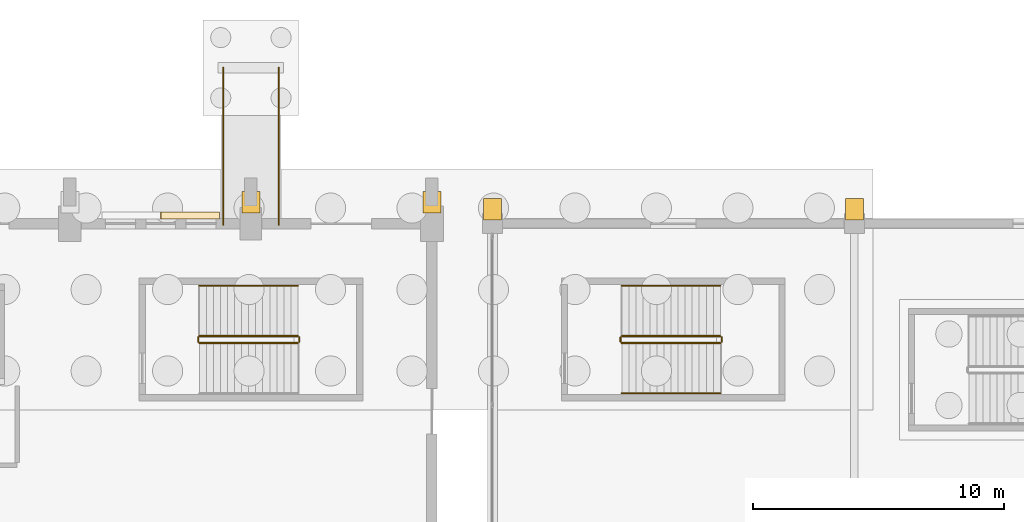
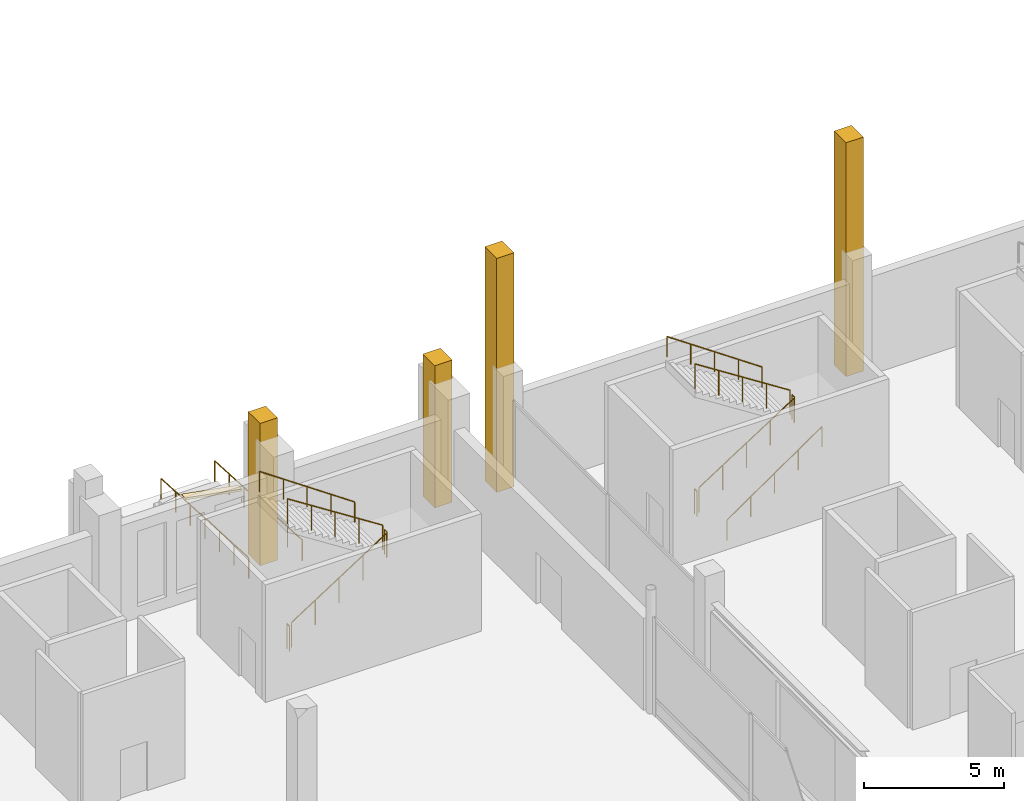
# One storey, part 189 of 192: 13 railings, 5 coverings.
"""IFC4 building model written with IfcOpenShell, lengths in metres."""

import ifcopenshell
import ifcopenshell.guid

model = None  # the IFC model being written
_history = None  # IfcOwnerHistory: only IFC2X3 demands one
_inside = {}  # id of a spatial element -> (the spatial element, [elements in it])
_under = {}  # id of a project, library or spatial element -> (it, [spatial elements below it])
_declared = {}  # id of a project -> (the project, [libraries it declares])
_typed = {}  # id of a type object -> (the type object, [elements of that type])
_made_of = {}  # id of a material, layer set ... -> (it, [elements and type objects made of it])


def new_model(schema):
    """Start an empty IFC model of exactly this schema.

    Asked for "IFC4X3", IfcOpenShell would pick the latest addendum, in which some entities
    have other attributes; the version numbers below select the first issue.
    IFC2X3 requires an IfcOwnerHistory on every rooted entity: one is made here for all.
    """
    global model, _history
    if schema == "IFC4X3":
        model = ifcopenshell.file(schema_version=(4, 3, 0, 0))
    else:
        model = ifcopenshell.file(schema=schema)
    _inside.clear()
    _under.clear()
    _declared.clear()
    _typed.clear()
    _made_of.clear()
    _history = None
    if model.schema == "IFC2X3":
        org = make("IfcOrganization", Name="unknown")
        user = make(
            "IfcPersonAndOrganization",
            ThePerson=make("IfcPerson", FamilyName="unknown"),
            TheOrganization=org,
        )
        app = make(
            "IfcApplication",
            ApplicationDeveloper=org,
            Version="unknown",
            ApplicationFullName="unknown",
            ApplicationIdentifier="unknown",
        )
        _history = make(
            "IfcOwnerHistory",
            OwningUser=user,
            OwningApplication=app,
            ChangeAction="ADDED",
            CreationDate=0,
        )
    return model


def make(cls, **values):
    """One entity of the class cls with the attributes given. An attribute that is None is left unset."""
    return model.create_entity(
        cls, **{name: value for name, value in values.items() if value is not None}
    )


def rooted(cls, **values):
    """An entity with a GlobalId (a new one), such as an element, a storey or a relation."""
    return make(cls, GlobalId=ifcopenshell.guid.new(), OwnerHistory=_history, **values)


def si_unit(unit_type, name, prefix=None):
    """IfcSIUnit, for example si_unit("LENGTHUNIT", "METRE", prefix="MILLI")."""
    return make("IfcSIUnit", UnitType=unit_type, Prefix=prefix, Name=name)


def assignment(units):
    """IfcUnitAssignment: the units of a project."""
    return None if units is None else make("IfcUnitAssignment", Units=units)


def point(xyz):
    """IfcCartesianPoint."""
    return None if xyz is None else make("IfcCartesianPoint", Coordinates=xyz)


def direction(xyz):
    """IfcDirection."""
    return None if xyz is None else make("IfcDirection", DirectionRatios=xyz)


def frame(location, z_axis=None, x_axis=None):
    """IfcAxis2Placement3D, a coordinate frame: its origin and axes. An axis left out is left unset."""
    return make(
        "IfcAxis2Placement3D",
        Location=point(location),
        Axis=direction(z_axis),
        RefDirection=direction(x_axis),
    )


def frame_2d(location, x_axis=None):
    """IfcAxis2Placement2D, a coordinate frame in the plane: its origin and x axis."""
    return make(
        "IfcAxis2Placement2D", Location=point(location), RefDirection=direction(x_axis)
    )


def origin():
    """The frame at (0, 0, 0) with its axes left unset."""
    return frame((0.0, 0.0, 0.0))


def origin_2d():
    """The frame at (0, 0) in the plane with its x axis left unset."""
    return frame_2d((0.0, 0.0))


def place(relative_to, where):
    """IfcLocalPlacement: puts the frame where relative to a parent placement (None: the world)."""
    return make(
        "IfcLocalPlacement", PlacementRelTo=relative_to, RelativePlacement=where
    )


def context(
    kind, dimensions, precision=None, world=None, true_north=None, identifier=None
):
    """IfcGeometricRepresentationContext, for example the 3D "Model" context."""
    return make(
        "IfcGeometricRepresentationContext",
        ContextIdentifier=identifier,
        ContextType=kind,
        CoordinateSpaceDimension=dimensions,
        Precision=precision,
        WorldCoordinateSystem=world,
        TrueNorth=true_north,
    )


def subcontext(parent, identifier, kind, view, scale=None):
    """IfcGeometricRepresentationSubContext, for example "Body" below "Model"."""
    return make(
        "IfcGeometricRepresentationSubContext",
        ContextIdentifier=identifier,
        ContextType=kind,
        ParentContext=parent,
        TargetScale=scale,
        TargetView=view,
    )


def project(units=None, contexts=None):
    """IfcProject with its units and contexts."""
    return rooted(
        "IfcProject",
        Name="project",
        RepresentationContexts=contexts,
        UnitsInContext=assignment(units),
    )


def spatial(cls, under=None, at=None, **own):
    """A site, building, storey or space (cls), placed at a placement, below another one or the project."""
    s = rooted(cls, ObjectPlacement=at, **own)
    if under is not None:
        _under.setdefault(under.id(), (under, []))[1].append(s)
    return s


def polyline(points):
    """IfcPolyline through the points."""
    return make("IfcPolyline", Points=[point(p) for p in points])


def profile(cls, at=None, kind="AREA", **sizes):
    """A parametric profile (cls). Its sizes go by their IFC names, for example OverallWidth=200.0."""
    return make(cls, ProfileType=kind, Position=at, **sizes)


def circle(**sizes):
    """IfcCircleProfileDef."""
    return profile("IfcCircleProfileDef", **sizes)


def outline(outer, holes=None, kind="AREA"):
    """IfcArbitraryClosedProfileDef: a profile drawn as a closed curve; with holes, ...WithVoids."""
    if holes is None:
        return make("IfcArbitraryClosedProfileDef", ProfileType=kind, OuterCurve=outer)
    return make(
        "IfcArbitraryProfileDefWithVoids",
        ProfileType=kind,
        OuterCurve=outer,
        InnerCurves=holes,
    )


def extrude(swept, where, along, depth):
    """IfcExtrudedAreaSolid: the profile swept, set in the frame where, extruded along a direction by depth."""
    return make(
        "IfcExtrudedAreaSolid",
        SweptArea=swept,
        Position=where,
        ExtrudedDirection=direction(along),
        Depth=depth,
    )


def shape(context_of_items, identifier, shape_type, items):
    """IfcShapeRepresentation: the items that make up one representation, for example the "Body"."""
    return make(
        "IfcShapeRepresentation",
        ContextOfItems=context_of_items,
        RepresentationIdentifier=identifier,
        RepresentationType=shape_type,
        Items=items,
    )


def material(Name=None, Category=None):
    """IfcMaterial."""
    return make("IfcMaterial", Name=Name, Category=Category)


def layer(
    of_material, thickness, ventilated=None, Name=None, Category=None, Priority=None
):
    """IfcMaterialLayer: one layer of a wall or slab, of a material (None: an air gap)."""
    return make(
        "IfcMaterialLayer",
        Material=of_material,
        LayerThickness=thickness,
        IsVentilated=ventilated,
        Name=Name,
        Category=Category,
        Priority=Priority,
    )


def layer_set(layers, Name=None):
    """IfcMaterialLayerSet."""
    return make("IfcMaterialLayerSet", MaterialLayers=layers, LayerSetName=Name)


def made_of(thing, what):
    """Note that an element or type object is made of a material, layer set ...; save() writes the relation."""
    if what is not None:
        _made_of.setdefault(what.id(), (what, []))[1].append(thing)
    return thing


def type_object(cls, material=None, **own):
    """A type object (cls), such as IfcWallType, which elements share."""
    return made_of(rooted(cls, **own), material)


def element(
    cls,
    number,
    at=None,
    inside=None,
    cuts=None,
    type_object=None,
    material=None,
    context=None,
    identifier="Body",
    shape_type=None,
    held_by="IfcProductDefinitionShape",
    body=None,
    shapes=None,
    **own,
):
    """One element of the class cls, such as IfcWall. Its Tag is "e" and its number.

    at: its placement. inside: the storey or other place that contains it. cuts: it is an
    opening in that element (IfcRelVoidsElement). A single representation is given by context,
    identifier, shape_type and body (its items); several are given by shapes. held_by: the class
    of the entity that holds the representations. save() writes the other relations.
    """
    e = rooted(cls, Tag="e%d" % number, ObjectPlacement=at, **own)
    if body is not None:
        shapes = [shape(context, identifier, shape_type, body)]
    if shapes is not None:
        e.Representation = make(held_by, Representations=shapes)
    if inside is not None:
        _inside.setdefault(inside.id(), (inside, []))[1].append(e)
    if cuts is not None:
        rooted(
            "IfcRelVoidsElement", RelatingBuildingElement=cuts, RelatedOpeningElement=e
        )
    if type_object is not None:
        _typed.setdefault(type_object.id(), (type_object, []))[1].append(e)
    return made_of(e, material)


def aggregate(whole, parts):
    """IfcRelAggregates: a whole, such as a stair, and the parts it consists of."""
    return rooted("IfcRelAggregates", RelatingObject=whole, RelatedObjects=parts)


def save(model, path):
    """Write the relations noted so far, then the file.

    IfcRelAggregates (storeys below a building ...), IfcRelContainedInSpatialStructure (elements
    in a storey), IfcRelDefinesByType, IfcRelAssociatesMaterial and IfcRelDeclares: one each for
    every whole, place, type object, material and project.
    """
    for whole, parts in _under.values():
        aggregate(whole, parts)
    for where, things in _inside.values():
        rooted(
            "IfcRelContainedInSpatialStructure",
            RelatedElements=things,
            RelatingStructure=where,
        )
    for kind, things in _typed.values():
        rooted("IfcRelDefinesByType", RelatedObjects=things, RelatingType=kind)
    for what, things in _made_of.values():
        rooted("IfcRelAssociatesMaterial", RelatedObjects=things, RelatingMaterial=what)
    for by, libraries in _declared.values():
        rooted("IfcRelDeclares", RelatingContext=by, RelatedDefinitions=libraries)
    model.write(path)


model = new_model("IFC4")

# Units and contexts
model_context = context("Model", 3, precision=1e-05, world=origin(), true_north=direction((0.0, 1.0)))
body_context = subcontext(model_context, "Body", "Model", "MODEL_VIEW")
ifc_project = project(units=[si_unit("LENGTHUNIT", "METRE"), si_unit("AREAUNIT", "SQUARE_METRE"), si_unit("VOLUMEUNIT", "CUBIC_METRE"), si_unit("PLANEANGLEUNIT", "RADIAN"), si_unit("MASSUNIT", "GRAM", prefix="KILO")], contexts=[model_context])

# Site, building, storey
site_placement = place(None, origin())
site = spatial("IfcSite", under=ifc_project, at=site_placement, CompositionType="ELEMENT")
building_placement = place(site_placement, origin())
building = spatial("IfcBuilding", under=site, at=building_placement, Name="Cendralis Lancet Convention Centre", CompositionType="ELEMENT")
storey_placement = place(building_placement, origin())
storey = spatial("IfcBuildingStorey", under=building, at=storey_placement, Name="L00", CompositionType="ELEMENT", Elevation=0.0)

# Coverings
ifc_material_1 = material(Name="Warm buff sandstone chevron cassette", Category="masonry")
ifc_layer = layer(ifc_material_1, 0.06005859375, Name="Warm buff sandstone chevron cassette")
ifc_layer_set = layer_set([ifc_layer], Name="Warm buff sandstone chevron cassette")
covering_type = type_object("IfcCoveringType", Name="ARC-CV-CLAD1", PredefinedType="CLADDING", material=ifc_layer_set)
covering_1_placement = place(storey_placement, frame((111.62255859375, 137.27001953125, 4.22509765625), z_axis=(0.17947506568, 0.0, 0.983762522563), x_axis=(0.0, -1.0, 0.0)))
element("IfcCovering", 1, at=covering_1_placement, inside=storey, type_object=covering_type, Name="L00 Gothic Pointed Lancet Hood-Mould #0012R", PredefinedType="CLADDING", context=body_context, shape_type="SweptSolid", body=[
    extrude(outline(polyline([(0.0, 0.0), (0.284912109375, 0.0), (0.284912109375, 2.3682890239662733), (0.0, 2.3682890239662733), (0.0, 0.0)])), origin(), (0.0, 0.0, -1.0), 0.090087890625),
])
covering_2_placement = place(storey_placement, origin())
element("IfcCovering", 2, at=covering_2_placement, inside=storey, type_object=covering_type, Name="Gothic Stepped Stone Buttress Base #0028", PredefinedType="CLADDING", context=body_context, shape_type="SweptSolid", body=[
    extrude(outline(polyline([(115.56005859375, 138.070068359375), (114.840087890625, 138.070068359375), (114.840087890625, 137.219970703125), (115.56005859375, 137.219970703125), (115.56005859375, 138.070068359375)])), origin(), (0.0, 0.0, 1.0), 6.199951171875),
])
covering_3_placement = place(storey_placement, origin())
element("IfcCovering", 3, at=covering_3_placement, inside=storey, type_object=covering_type, Name="Gothic Stepped Stone Buttress Base #0030", PredefinedType="CLADDING", context=body_context, shape_type="SweptSolid", body=[
    extrude(outline(polyline([(122.760009765625, 138.070068359375), (122.0400390625, 138.070068359375), (122.0400390625, 137.219970703125), (122.760009765625, 137.219970703125), (122.760009765625, 138.070068359375)])), origin(), (0.0, 0.0, 1.0), 6.199951171875),
])
covering_4_placement = place(storey_placement, origin())
element("IfcCovering", 4, at=covering_4_placement, inside=storey, type_object=covering_type, Name="Gothic Stepped Stone Buttress Base #0052", PredefinedType="CLADDING", context=body_context, shape_type="SweptSolid", body=[
    extrude(outline(polyline([(125.159912109375, 137.800048828125), (124.43994140625, 137.800048828125), (124.43994140625, 136.949951171875), (125.159912109375, 136.949951171875), (125.159912109375, 137.800048828125)])), origin(), (0.0, 0.0, 1.0), 10.199951171875),
])
covering_5_placement = place(storey_placement, origin())
element("IfcCovering", 5, at=covering_5_placement, inside=storey, type_object=covering_type, Name="Gothic Stepped Stone Buttress Base #0054", PredefinedType="CLADDING", context=body_context, shape_type="SweptSolid", body=[
    extrude(outline(polyline([(139.56005859375, 137.800048828125), (138.840087890625, 137.800048828125), (138.840087890625, 136.949951171875), (139.56005859375, 136.949951171875), (139.56005859375, 137.800048828125)])), origin(), (0.0, 0.0, 1.0), 10.199951171875),
])

# Railings
ifc_material_2 = material(Name="Steel S355", Category="steel")
railing_type_1 = type_object("IfcRailingType", Name="ARC-RL-CGD", PredefinedType="GUARDRAIL", material=ifc_material_2)
railing_1_placement = place(storey_placement, frame((113.14990234375, 132.050048828125, 0.179931640625)))
element("IfcRailing", 6, at=railing_1_placement, inside=storey, type_object=railing_type_1, Name="L00 ST-04 stair guard 1", PredefinedType="GUARDRAIL", context=body_context, shape_type="SweptSolid", body=[
    extrude(circle(Radius=0.02392578125, at=origin_2d()), frame((0.0, 0.0, 1.076171875), z_axis=(0.841186985886, 0.0, 0.540744352514), x_axis=(0.0, 1.0, 0.0)), (0.0, 0.0, 1.0), 4.660400390625),
    extrude(circle(Radius=0.02099609375, at=origin_2d()), origin(), (0.0, 0.0, 1.0), 1.052001953125),
    extrude(circle(Radius=0.02099609375, at=origin_2d()), frame((0.97998046875, 0.0, 0.6298828125)), (0.0, 0.0, 1.0), 1.052001953125),
    extrude(circle(Radius=0.02099609375, at=origin_2d()), frame((1.9599609375, 0.0, 1.260009765625)), (0.0, 0.0, 1.0), 1.052001953125),
    extrude(circle(Radius=0.02099609375, at=origin_2d()), frame((2.940185546875, 0.0, 1.89013671875)), (0.0, 0.0, 1.0), 1.052001953125),
    extrude(circle(Radius=0.02099609375, at=origin_2d()), frame((3.920166015625, 0.0, 2.52001953125)), (0.0, 0.0, 1.0), 1.052001953125),
])
railing_2_placement = place(storey_placement, frame((117.1201171875, 132.10009765625, 2.699951171875)))
element("IfcRailing", 7, at=railing_2_placement, inside=storey, type_object=railing_type_1, Name="L00 ST-04 stair guard 2", PredefinedType="GUARDRAIL", context=body_context, shape_type="SweptSolid", body=[
    extrude(circle(Radius=0.02392578125, at=origin_2d()), frame((0.0, 0.0, 1.076171875), z_axis=(0.0, 1.0, 0.0), x_axis=(-1.0, 0.0, 0.0)), (0.0, 0.0, 1.0), 0.179931640625),
    extrude(circle(Radius=0.02099609375, at=origin_2d()), origin(), (0.0, 0.0, 1.0), 1.052001953125),
    extrude(circle(Radius=0.02099609375, at=origin_2d()), frame((0.0, 0.179931640625, 0.0)), (0.0, 0.0, 1.0), 1.052001953125),
])
railing_3_placement = place(storey_placement, frame((117.070068359375, 132.330078125, 2.8798828125)))
element("IfcRailing", 8, at=railing_3_placement, inside=storey, type_object=railing_type_1, Name="L00 ST-04 stair guard 3", PredefinedType="GUARDRAIL", context=body_context, shape_type="SweptSolid", body=[
    extrude(circle(Radius=0.02392578125, at=origin_2d()), frame((0.0, 0.0, 1.076171875), z_axis=(-0.841186985886, 0.0, 0.540744352514), x_axis=(0.0, -1.0, 0.0)), (0.0, 0.0, 1.0), 4.660400390625),
    extrude(circle(Radius=0.02099609375, at=origin_2d()), origin(), (0.0, 0.0, 1.0), 1.052001953125),
    extrude(circle(Radius=0.02099609375, at=origin_2d()), frame((-0.97998046875, 0.0, 0.6298828125)), (0.0, 0.0, 1.0), 1.052001953125),
    extrude(circle(Radius=0.02099609375, at=origin_2d()), frame((-1.9599609375, 0.0, 1.260009765625)), (0.0, 0.0, 1.0), 1.052001953125),
    extrude(circle(Radius=0.02099609375, at=origin_2d()), frame((-2.940185546875, 0.0, 1.89013671875)), (0.0, 0.0, 1.0), 1.052001953125),
    extrude(circle(Radius=0.02099609375, at=origin_2d()), frame((-3.920166015625, 0.0, 2.52001953125)), (0.0, 0.0, 1.0), 1.052001953125),
])
railing_4_placement = place(storey_placement, frame((113.10009765625, 132.10009765625, 0.0)))
element("IfcRailing", 9, at=railing_4_placement, inside=storey, type_object=railing_type_1, Name="L00 ST-04 stair guard 4", PredefinedType="GUARDRAIL", context=body_context, shape_type="SweptSolid", body=[
    extrude(circle(Radius=0.02392578125, at=origin_2d()), frame((0.0, 0.0, 1.076171875), z_axis=(0.0, 1.0, 0.0), x_axis=(-1.0, 0.0, 0.0)), (0.0, 0.0, 1.0), 0.179931640625),
    extrude(circle(Radius=0.02099609375, at=origin_2d()), origin(), (0.0, 0.0, 1.0), 1.052001953125),
    extrude(circle(Radius=0.02099609375, at=origin_2d()), frame((0.0, 0.179931640625, 0.0)), (0.0, 0.0, 1.0), 1.052001953125),
])
railing_5_placement = place(storey_placement, frame((129.949951171875, 132.050048828125, 0.179931640625)))
element("IfcRailing", 10, at=railing_5_placement, inside=storey, type_object=railing_type_1, Name="L00 ST-05 stair guard 1", PredefinedType="GUARDRAIL", context=body_context, shape_type="SweptSolid", body=[
    extrude(circle(Radius=0.02392578125, at=origin_2d()), frame((0.0, 0.0, 1.076171875), z_axis=(0.841186985886, 0.0, 0.540744352514), x_axis=(0.0, 1.0, 0.0)), (0.0, 0.0, 1.0), 4.660400390625),
    extrude(circle(Radius=0.02099609375, at=origin_2d()), origin(), (0.0, 0.0, 1.0), 1.052001953125),
    extrude(circle(Radius=0.02099609375, at=origin_2d()), frame((0.97998046875, 0.0, 0.6298828125)), (0.0, 0.0, 1.0), 1.052001953125),
    extrude(circle(Radius=0.02099609375, at=origin_2d()), frame((1.9599609375, 0.0, 1.260009765625)), (0.0, 0.0, 1.0), 1.052001953125),
    extrude(circle(Radius=0.02099609375, at=origin_2d()), frame((2.940185546875, 0.0, 1.89013671875)), (0.0, 0.0, 1.0), 1.052001953125),
    extrude(circle(Radius=0.02099609375, at=origin_2d()), frame((3.920166015625, 0.0, 2.52001953125)), (0.0, 0.0, 1.0), 1.052001953125),
])
railing_6_placement = place(storey_placement, frame((133.919921875, 132.10009765625, 2.699951171875)))
element("IfcRailing", 11, at=railing_6_placement, inside=storey, type_object=railing_type_1, Name="L00 ST-05 stair guard 2", PredefinedType="GUARDRAIL", context=body_context, shape_type="SweptSolid", body=[
    extrude(circle(Radius=0.02392578125, at=origin_2d()), frame((0.0, 0.0, 1.076171875), z_axis=(0.0, 1.0, 0.0), x_axis=(-1.0, 0.0, 0.0)), (0.0, 0.0, 1.0), 0.179931640625),
    extrude(circle(Radius=0.02099609375, at=origin_2d()), origin(), (0.0, 0.0, 1.0), 1.052001953125),
    extrude(circle(Radius=0.02099609375, at=origin_2d()), frame((0.0, 0.179931640625, 0.0)), (0.0, 0.0, 1.0), 1.052001953125),
])
railing_7_placement = place(storey_placement, frame((133.8701171875, 132.330078125, 2.8798828125)))
element("IfcRailing", 12, at=railing_7_placement, inside=storey, type_object=railing_type_1, Name="L00 ST-05 stair guard 3", PredefinedType="GUARDRAIL", context=body_context, shape_type="SweptSolid", body=[
    extrude(circle(Radius=0.02392578125, at=origin_2d()), frame((0.0, 0.0, 1.076171875), z_axis=(-0.841186985886, 0.0, 0.540744352514), x_axis=(0.0, -1.0, 0.0)), (0.0, 0.0, 1.0), 4.660400390625),
    extrude(circle(Radius=0.02099609375, at=origin_2d()), origin(), (0.0, 0.0, 1.0), 1.052001953125),
    extrude(circle(Radius=0.02099609375, at=origin_2d()), frame((-0.97998046875, 0.0, 0.6298828125)), (0.0, 0.0, 1.0), 1.052001953125),
    extrude(circle(Radius=0.02099609375, at=origin_2d()), frame((-1.9599609375, 0.0, 1.260009765625)), (0.0, 0.0, 1.0), 1.052001953125),
    extrude(circle(Radius=0.02099609375, at=origin_2d()), frame((-2.940185546875, 0.0, 1.89013671875)), (0.0, 0.0, 1.0), 1.052001953125),
    extrude(circle(Radius=0.02099609375, at=origin_2d()), frame((-3.920166015625, 0.0, 2.52001953125)), (0.0, 0.0, 1.0), 1.052001953125),
])
railing_8_placement = place(storey_placement, frame((129.89990234375, 132.10009765625, 0.0)))
element("IfcRailing", 13, at=railing_8_placement, inside=storey, type_object=railing_type_1, Name="L00 ST-05 stair guard 4", PredefinedType="GUARDRAIL", context=body_context, shape_type="SweptSolid", body=[
    extrude(circle(Radius=0.02392578125, at=origin_2d()), frame((0.0, 0.0, 1.076171875), z_axis=(0.0, 1.0, 0.0), x_axis=(-1.0, 0.0, 0.0)), (0.0, 0.0, 1.0), 0.179931640625),
    extrude(circle(Radius=0.02099609375, at=origin_2d()), origin(), (0.0, 0.0, 1.0), 1.052001953125),
    extrude(circle(Radius=0.02099609375, at=origin_2d()), frame((0.0, 0.179931640625, 0.0)), (0.0, 0.0, 1.0), 1.052001953125),
])
railing_type_2 = type_object("IfcRailingType", Name="ARC-RL-CHR", PredefinedType="HANDRAIL", material=ifc_material_2)
railing_9_placement = place(storey_placement, frame((117.070068359375, 134.330078125, 2.8798828125)))
element("IfcRailing", 14, at=railing_9_placement, inside=storey, type_object=railing_type_2, Name="L00 ST-04 stair handrail 2", PredefinedType="HANDRAIL", context=body_context, shape_type="SweptSolid", body=[
    extrude(circle(Radius=0.02392578125, at=origin_2d()), frame((0.0, 0.0, 0.8759765625), z_axis=(-0.82354327477, 0.0, 0.567253448276), x_axis=(0.0, -1.0, 0.0)), (0.0, 0.0, 1.0), 4.760009765625),
    extrude(circle(Radius=0.02099609375, at=origin_2d()), origin(), (0.0, 0.0, 1.0), 0.851806640625),
    extrude(circle(Radius=0.02099609375, at=origin_2d()), frame((-0.97998046875, 0.0, 0.675048828125)), (0.0, 0.0, 1.0), 0.851806640625),
    extrude(circle(Radius=0.02099609375, at=origin_2d()), frame((-1.9599609375, 0.0, 1.35009765625)), (0.0, 0.0, 1.0), 0.851806640625),
    extrude(circle(Radius=0.02099609375, at=origin_2d()), frame((-2.940185546875, 0.0, 2.025146484375)), (0.0, 0.0, 1.0), 0.851806640625),
    extrude(circle(Radius=0.02099609375, at=origin_2d()), frame((-3.920166015625, 0.0, 2.7001953125)), (0.0, 0.0, 1.0), 0.851806640625),
])
railing_10_placement = place(storey_placement, frame((129.949951171875, 130.050048828125, 0.179931640625)))
element("IfcRailing", 15, at=railing_10_placement, inside=storey, type_object=railing_type_2, Name="L00 ST-05 stair handrail 1", PredefinedType="HANDRAIL", context=body_context, shape_type="SweptSolid", body=[
    extrude(circle(Radius=0.02392578125, at=origin_2d()), frame((0.0, 0.0, 0.8759765625), z_axis=(0.823567234665, 0.0, 0.567218661528), x_axis=(0.0, 1.0, 0.0)), (0.0, 0.0, 1.0), 4.760009765625),
    extrude(circle(Radius=0.02099609375, at=origin_2d()), origin(), (0.0, 0.0, 1.0), 0.851806640625),
    extrude(circle(Radius=0.02099609375, at=origin_2d()), frame((0.97998046875, 0.0, 0.675048828125)), (0.0, 0.0, 1.0), 0.851806640625),
    extrude(circle(Radius=0.02099609375, at=origin_2d()), frame((1.9599609375, 0.0, 1.35009765625)), (0.0, 0.0, 1.0), 0.851806640625),
    extrude(circle(Radius=0.02099609375, at=origin_2d()), frame((2.940185546875, 0.0, 2.02490234375)), (0.0, 0.0, 1.0), 0.851806640625),
    extrude(circle(Radius=0.02099609375, at=origin_2d()), frame((3.920166015625, 0.0, 2.699951171875)), (0.0, 0.0, 1.0), 0.851806640625),
])
railing_11_placement = place(storey_placement, frame((133.8701171875, 134.330078125, 2.8798828125)))
element("IfcRailing", 16, at=railing_11_placement, inside=storey, type_object=railing_type_2, Name="L00 ST-05 stair handrail 2", PredefinedType="HANDRAIL", context=body_context, shape_type="SweptSolid", body=[
    extrude(circle(Radius=0.02392578125, at=origin_2d()), frame((0.0, 0.0, 0.8759765625), z_axis=(-0.82354327477, 0.0, 0.567253448276), x_axis=(0.0, -1.0, 0.0)), (0.0, 0.0, 1.0), 4.760009765625),
    extrude(circle(Radius=0.02099609375, at=origin_2d()), origin(), (0.0, 0.0, 1.0), 0.851806640625),
    extrude(circle(Radius=0.02099609375, at=origin_2d()), frame((-0.97998046875, 0.0, 0.675048828125)), (0.0, 0.0, 1.0), 0.851806640625),
    extrude(circle(Radius=0.02099609375, at=origin_2d()), frame((-1.9599609375, 0.0, 1.35009765625)), (0.0, 0.0, 1.0), 0.851806640625),
    extrude(circle(Radius=0.02099609375, at=origin_2d()), frame((-2.940185546875, 0.0, 2.025146484375)), (0.0, 0.0, 1.0), 0.851806640625),
    extrude(circle(Radius=0.02099609375, at=origin_2d()), frame((-3.920166015625, 0.0, 2.7001953125)), (0.0, 0.0, 1.0), 0.851806640625),
])
ifc_material_3 = material(Name="Anodised bronze architectural aluminium", Category="aluminium")
railing_type_3 = type_object("IfcRailingType", Name="ARC-RL-HR01", PredefinedType="HANDRAIL", material=ifc_material_3)
for number, where, name in (
    (17, (114.095947265625, 143.0, -0.340087890625), "Accessible North Exhibition Concourse Ramp RP-04 Handrail L"),
    (18, (116.303955078125, 143.0, -0.340087890625), "Accessible North Exhibition Concourse Ramp RP-04 Handrail R"),
):
    element("IfcRailing", number, at=place(storey_placement, frame(where)), inside=storey, type_object=railing_type_3, Name=name, PredefinedType="HANDRAIL", context=body_context, shape_type="SweptSolid", body=[
        extrude(circle(Radius=0.02392578125, at=origin_2d()), frame((0.0, 0.0, 0.89599609375), z_axis=(0.0, -0.998522834387, 0.054333683918), x_axis=(1.0, 0.0, 0.0)), (0.0, 0.0, 1.0), 6.25927734375),
        extrude(circle(Radius=0.02099609375, at=origin_2d()), origin(), (0.0, 0.0, 1.0), 0.871826171875),
        extrude(circle(Radius=0.02099609375, at=origin_2d()), frame((0.0, -1.041748046875, 0.056640625)), (0.0, 0.0, 1.0), 0.871826171875),
        extrude(circle(Radius=0.02099609375, at=origin_2d()), frame((0.0, -2.083251953125, 0.11328125)), (0.0, 0.0, 1.0), 0.871826171875),
        extrude(circle(Radius=0.02099609375, at=origin_2d()), frame((0.0, -3.125, 0.169921875)), (0.0, 0.0, 1.0), 0.871826171875),
        extrude(circle(Radius=0.02099609375, at=origin_2d()), frame((0.0, -4.166748046875, 0.226806640625)), (0.0, 0.0, 1.0), 0.871826171875),
        extrude(circle(Radius=0.02099609375, at=origin_2d()), frame((0.0, -5.208251953125, 0.283447265625)), (0.0, 0.0, 1.0), 0.871826171875),
        extrude(circle(Radius=0.02099609375, at=origin_2d()), frame((0.0, -6.25, 0.340087890625)), (0.0, 0.0, 1.0), 0.871826171875),
    ])

save(model, "model.ifc")
